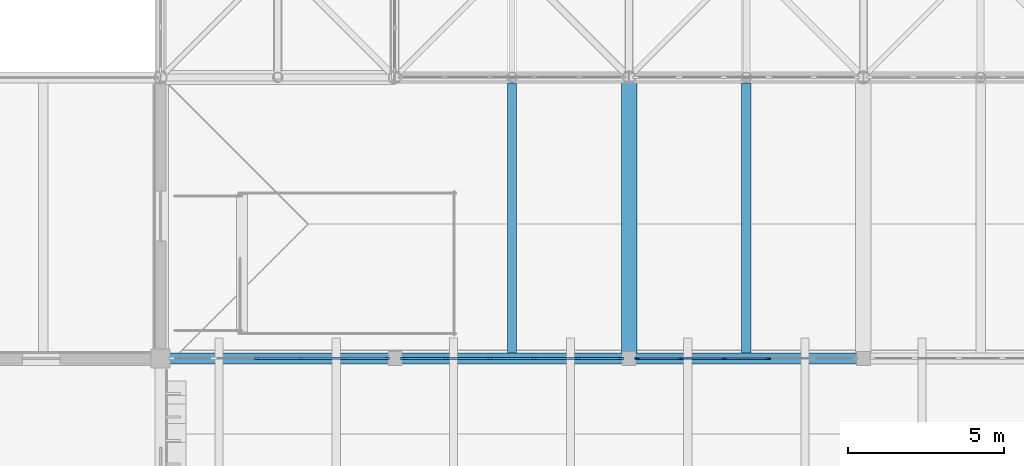
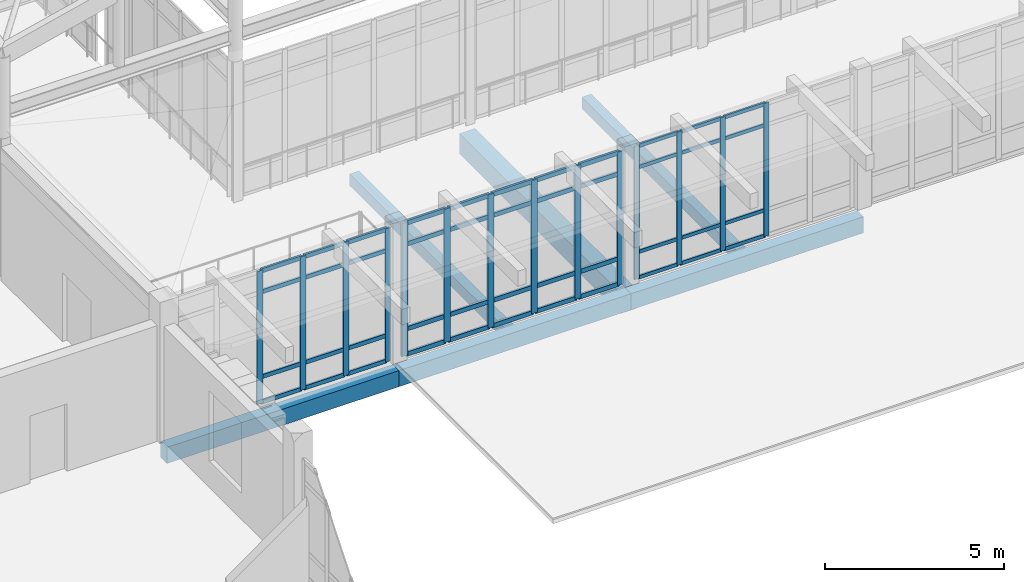
# One storey, part 26 of 131: 58 members, 6 beams, 3 elements without a shape of their own.
"""IFC4 building model written with IfcOpenShell, lengths in metres."""

from ifc_helpers import new_model, si_unit, direction, frame, origin, origin_2d, place, context, subcontext, project, spatial, rectangle, extrude, material, layer, layer_set, material_profile, profile_set, type_object, element, aggregate, save


model = new_model("IFC4")

# Units and contexts
model_context = context("Model", 3, precision=1e-05, world=origin(), true_north=direction((0.0, 1.0)))
body_context = subcontext(model_context, "Body", "Model", "MODEL_VIEW")
ifc_project = project(units=[si_unit("LENGTHUNIT", "METRE"), si_unit("AREAUNIT", "SQUARE_METRE"), si_unit("VOLUMEUNIT", "CUBIC_METRE"), si_unit("PLANEANGLEUNIT", "RADIAN"), si_unit("MASSUNIT", "GRAM", prefix="KILO")], contexts=[model_context])

# Site, building, storey
site_placement = place(None, origin())
site = spatial("IfcSite", under=ifc_project, at=site_placement, CompositionType="ELEMENT")
building_placement = place(site_placement, origin())
building = spatial("IfcBuilding", under=site, at=building_placement, Name="Dalvernix Boulevard General Hospital", CompositionType="ELEMENT")
storey_placement = place(building_placement, frame((0.0, 0.0, 9.300048828125)))
storey = spatial("IfcBuildingStorey", under=building, at=storey_placement, Name="L02", CompositionType="ELEMENT", Elevation=9.300048828125)

# Beams
ifc_material_1 = material(Name="Concrete C35/45", Category="concrete")
ifc_material_profile_1 = material_profile(ifc_material_1, rectangle(XDim=0.5, YDim=0.699951171875, at=origin_2d()), Name="RCB 500x700")
ifc_profile_set_1 = profile_set([ifc_material_profile_1], Name="Concrete C35/45")
beam_type_1 = type_object("IfcBeamType", Name="BM-B-01-I", PredefinedType="BEAM", material=ifc_profile_set_1)
beam_placement = place(storey_placement, frame((75.0, 22.5, -0.670166015625), z_axis=(0.0, 1.0, 0.0), x_axis=(-1.0, 0.0, 0.0)))
element("IfcBeam", 1, at=beam_placement, inside=storey, type_object=beam_type_1, Name="L02 N-S girder 11:D-E", PredefinedType="BEAM", context=body_context, shape_type="SweptSolid", body=[
    extrude(rectangle(XDim=0.5, YDim=0.699951171875, at=origin_2d()), origin(), (0.0, 0.0, 1.0), 9.0),
])
ifc_material_profile_2 = material_profile(ifc_material_1, rectangle(XDim=0.300048828125, YDim=0.39990234375, at=origin_2d()), Name="RCB 300x400")
ifc_profile_set_2 = profile_set([ifc_material_profile_2], Name="Concrete C35/45")
beam_type_2 = type_object("IfcBeamType", Name="BM-JB-01", PredefinedType="JOIST", material=ifc_profile_set_2)
for number, where, z_axis, x_axis, name in (
    (2, (71.25, 22.675048828125, -0.52001953125), (0.0, 1.0, 0.0), (-1.0, 0.0, 0.0), "L02 secondary floor beam 10-D"),
    (3, (78.75, 22.675048828125, -0.52001953125), (0.0, 1.0, 0.0), (-1.0, 0.0, 0.0), "L02 secondary floor beam 11-D"),
):
    element("IfcBeam", number, at=place(storey_placement, frame(where, z_axis=z_axis, x_axis=x_axis)), inside=storey, type_object=beam_type_2, Name=name, PredefinedType="JOIST", context=body_context, shape_type="SweptSolid", body=[
        extrude(rectangle(XDim=0.300048828125, YDim=0.39990234375, at=origin_2d()), origin(), (0.0, 0.0, 1.0), 8.64990234375),
    ])
ifc_material_profile_3 = material_profile(ifc_material_1, rectangle(XDim=0.35009765625, YDim=0.550048828125, at=origin_2d()), Name="RCB 350x550")
ifc_profile_set_3 = profile_set([ifc_material_profile_3], Name="Concrete C35/45")
beam_type_3 = type_object("IfcBeamType", Name="BM-SB-01-E", PredefinedType="SPANDREL", material=ifc_profile_set_3)
for number, where, z_axis, x_axis, name in (
    (4, (60.0, 22.5, -0.594970703125), (1.0, 0.0, 0.0), (0.0, 1.0, 0.0), "L02 E-W girder D:9-10"),
    (5, (67.5, 22.5, -0.594970703125), (1.0, 0.0, 0.0), (0.0, 1.0, 0.0), "L02 E-W girder D:10-11"),
    (6, (75.0, 22.5, -0.594970703125), (1.0, 0.0, 0.0), (0.0, 1.0, 0.0), "L02 E-W girder D:11-12"),
):
    element("IfcBeam", number, at=place(storey_placement, frame(where, z_axis=z_axis, x_axis=x_axis)), inside=storey, type_object=beam_type_3, Name=name, PredefinedType="SPANDREL", context=body_context, shape_type="SweptSolid", body=[
        extrude(rectangle(XDim=0.35009765625, YDim=0.550048828125, at=origin_2d()), origin(), (0.0, 0.0, 1.0), 7.5),
    ])

# Curtain wall, members
ifc_material_2 = material(Name="Thermally broken aluminium and solar-control glass curtain wall", Category="aluminium")
ifc_layer_1 = layer(ifc_material_2, 0.159912109375)
ifc_layer_set_1 = layer_set([ifc_layer_1], Name="Thermally broken aluminium and solar-control glass curtain wall (CW-CW-A-70x46)")
curtain_wall_type_1 = type_object("IfcCurtainWallType", Name="CW-CW-A-70x46", PredefinedType="USERDEFINED", material=ifc_layer_set_1)
curtain_wall_1_placement = place(storey_placement, origin())
curtain_wall_1 = element("IfcCurtainWall", 7, at=curtain_wall_1_placement, inside=storey, type_object=curtain_wall_type_1, Name="L02 curtain wall CW-A-70x46 10-3", ObjectType="GLAZED FACADE", PredefinedType="USERDEFINED")
ifc_material_3 = material(Name="Aluminium EN AW-6060", Category="aluminium")
ifc_material_profile_4 = material_profile(ifc_material_3, rectangle(XDim=0.06005859375, YDim=0.159912109375, at=origin_2d()), Name="ALU MULL 60x160")
ifc_profile_set_4 = profile_set([ifc_material_profile_4], Name="Aluminium EN AW-6060")
member_type_1 = type_object("IfcMemberType", Name="MEM-CW-M1", PredefinedType="MULLION", material=ifc_profile_set_4)
member_1_placement = place(storey_placement, frame((79.452880859375, 22.5, 0.0), z_axis=(0.0, 0.0, 1.0), x_axis=(0.0, -1.0, 0.0)))
member_1 = element("IfcMember", 8, at=member_1_placement, type_object=member_type_1, Name="CW-A-70x46 mullion 3", PredefinedType="MULLION", context=body_context, shape_type="SweptSolid", body=[
    extrude(rectangle(XDim=0.06005859375, YDim=0.159912109375, at=origin_2d()), origin(), (0.0, 0.0, 1.0), 4.550048828125),
])
member_2_placement = place(storey_placement, frame((78.047119140625, 22.5, 0.0), z_axis=(0.0, 0.0, 1.0), x_axis=(0.0, -1.0, 0.0)))
member_2 = element("IfcMember", 9, at=member_2_placement, type_object=member_type_1, Name="CW-A-70x46 mullion 4", PredefinedType="MULLION", context=body_context, shape_type="SweptSolid", body=[
    extrude(rectangle(XDim=0.06005859375, YDim=0.159912109375, at=origin_2d()), origin(), (0.0, 0.0, 1.0), 4.550048828125),
])
member_3_placement = place(storey_placement, frame((76.64111328125, 22.5, 0.0), z_axis=(0.0, 0.0, 1.0), x_axis=(0.0, -1.0, 0.0)))
member_3 = element("IfcMember", 10, at=member_3_placement, type_object=member_type_1, Name="CW-A-70x46 mullion 5", PredefinedType="MULLION", context=body_context, shape_type="SweptSolid", body=[
    extrude(rectangle(XDim=0.06005859375, YDim=0.159912109375, at=origin_2d()), origin(), (0.0, 0.0, 1.0), 4.550048828125),
])
member_4_placement = place(storey_placement, frame((75.264892578125, 22.5, 0.0), z_axis=(0.0, 0.0, 1.0), x_axis=(0.0, -1.0, 0.0)))
member_4 = element("IfcMember", 11, at=member_4_placement, type_object=member_type_1, Name="CW-A-70x46 mullion 6", PredefinedType="MULLION", context=body_context, shape_type="SweptSolid", body=[
    extrude(rectangle(XDim=0.06005859375, YDim=0.159912109375, at=origin_2d()), origin(), (0.0, 0.0, 1.0), 4.550048828125),
])

ifc_layer_2 = layer(ifc_material_2, 0.179931640625)
ifc_layer_set_2 = layer_set([ifc_layer_2], Name="Thermally broken aluminium and solar-control glass curtain wall (CW-CW-B-70x46)")
curtain_wall_type_2 = type_object("IfcCurtainWallType", Name="CW-CW-B-70x46", PredefinedType="USERDEFINED", material=ifc_layer_set_2)
curtain_wall_2_placement = place(storey_placement, origin())
curtain_wall_2 = element("IfcCurtainWall", 12, at=curtain_wall_2_placement, inside=storey, type_object=curtain_wall_type_2, Name="L02 curtain wall CW-B-70x46 8-3", ObjectType="GLAZED FACADE", PredefinedType="USERDEFINED")
ifc_material_profile_5 = material_profile(ifc_material_3, rectangle(XDim=0.06494140625, YDim=0.179931640625, at=origin_2d()), Name="ALU MULL 65x180")
ifc_profile_set_5 = profile_set([ifc_material_profile_5], Name="Aluminium EN AW-6060")
member_type_2 = type_object("IfcMemberType", Name="MEM-CW-M2", PredefinedType="MULLION", material=ifc_profile_set_5)
member_5_placement = place(storey_placement, frame((67.232421875, 22.5, 0.0), z_axis=(0.0, 0.0, 1.0), x_axis=(0.0, -1.0, 0.0)))
member_5 = element("IfcMember", 13, at=member_5_placement, type_object=member_type_2, Name="CW-B-70x46 mullion 1", PredefinedType="MULLION", context=body_context, shape_type="SweptSolid", body=[
    extrude(rectangle(XDim=0.06494140625, YDim=0.179931640625, at=origin_2d()), origin(), (0.0, 0.0, 1.0), 4.550048828125),
])
member_6_placement = place(storey_placement, frame((65.8740234375, 22.5, 0.0), z_axis=(0.0, 0.0, 1.0), x_axis=(0.0, -1.0, 0.0)))
member_6 = element("IfcMember", 14, at=member_6_placement, type_object=member_type_2, Name="CW-B-70x46 mullion 2", PredefinedType="MULLION", context=body_context, shape_type="SweptSolid", body=[
    extrude(rectangle(XDim=0.06494140625, YDim=0.179931640625, at=origin_2d()), origin(), (0.0, 0.0, 1.0), 4.550048828125),
])
member_7_placement = place(storey_placement, frame((64.48291015625, 22.5, 0.0), z_axis=(0.0, 0.0, 1.0), x_axis=(0.0, -1.0, 0.0)))
member_7 = element("IfcMember", 15, at=member_7_placement, type_object=member_type_2, Name="CW-B-70x46 mullion 3", PredefinedType="MULLION", context=body_context, shape_type="SweptSolid", body=[
    extrude(rectangle(XDim=0.06494140625, YDim=0.179931640625, at=origin_2d()), origin(), (0.0, 0.0, 1.0), 4.550048828125),
])
member_8_placement = place(storey_placement, frame((63.092041015625, 22.5, 0.0), z_axis=(0.0, 0.0, 1.0), x_axis=(0.0, -1.0, 0.0)))
member_8 = element("IfcMember", 16, at=member_8_placement, type_object=member_type_2, Name="CW-B-70x46 mullion 4", PredefinedType="MULLION", context=body_context, shape_type="SweptSolid", body=[
    extrude(rectangle(XDim=0.06494140625, YDim=0.179931640625, at=origin_2d()), origin(), (0.0, 0.0, 1.0), 4.550048828125),
])

ifc_layer_3 = layer(ifc_material_2, 0.199951171875)
ifc_layer_set_3 = layer_set([ifc_layer_3], Name="Thermally broken aluminium and solar-control glass curtain wall (CW-CW-C-70x46)")
curtain_wall_type_3 = type_object("IfcCurtainWallType", Name="CW-CW-C-70x46", PredefinedType="USERDEFINED", material=ifc_layer_set_3)
curtain_wall_3_placement = place(storey_placement, origin())
curtain_wall_3 = element("IfcCurtainWall", 17, at=curtain_wall_3_placement, inside=storey, type_object=curtain_wall_type_3, Name="L02 curtain wall CW-C-70x46 9-3", ObjectType="GLAZED FACADE", PredefinedType="USERDEFINED")
ifc_material_profile_6 = material_profile(ifc_material_3, rectangle(XDim=0.070068359375, YDim=0.199951171875, at=origin_2d()), Name="ALU MULL 70x200")
ifc_profile_set_6 = profile_set([ifc_material_profile_6], Name="Aluminium EN AW-6060")
member_type_3 = type_object("IfcMemberType", Name="MEM-CW-M3", PredefinedType="MULLION", material=ifc_profile_set_6)
member_9_placement = place(storey_placement, frame((74.72998046875, 22.5, 0.0), z_axis=(0.0, 0.0, 1.0), x_axis=(0.0, -1.0, 0.0)))
member_9 = element("IfcMember", 18, at=member_9_placement, type_object=member_type_3, Name="CW-C-70x46 mullion 1", PredefinedType="MULLION", context=body_context, shape_type="SweptSolid", body=[
    extrude(rectangle(XDim=0.070068359375, YDim=0.199951171875, at=origin_2d()), origin(), (0.0, 0.0, 1.0), 4.550048828125),
])
member_10_placement = place(storey_placement, frame((73.35888671875, 22.5, 0.0), z_axis=(0.0, 0.0, 1.0), x_axis=(0.0, -1.0, 0.0)))
member_10 = element("IfcMember", 19, at=member_10_placement, type_object=member_type_3, Name="CW-C-70x46 mullion 2", PredefinedType="MULLION", context=body_context, shape_type="SweptSolid", body=[
    extrude(rectangle(XDim=0.070068359375, YDim=0.199951171875, at=origin_2d()), origin(), (0.0, 0.0, 1.0), 4.550048828125),
])
member_11_placement = place(storey_placement, frame((71.952880859375, 22.5, 0.0), z_axis=(0.0, 0.0, 1.0), x_axis=(0.0, -1.0, 0.0)))
member_11 = element("IfcMember", 20, at=member_11_placement, type_object=member_type_3, Name="CW-C-70x46 mullion 3", PredefinedType="MULLION", context=body_context, shape_type="SweptSolid", body=[
    extrude(rectangle(XDim=0.070068359375, YDim=0.199951171875, at=origin_2d()), origin(), (0.0, 0.0, 1.0), 4.550048828125),
])
member_12_placement = place(storey_placement, frame((70.547119140625, 22.5, 0.0), z_axis=(0.0, 0.0, 1.0), x_axis=(0.0, -1.0, 0.0)))
member_12 = element("IfcMember", 21, at=member_12_placement, type_object=member_type_3, Name="CW-C-70x46 mullion 4", PredefinedType="MULLION", context=body_context, shape_type="SweptSolid", body=[
    extrude(rectangle(XDim=0.070068359375, YDim=0.199951171875, at=origin_2d()), origin(), (0.0, 0.0, 1.0), 4.550048828125),
])
member_13_placement = place(storey_placement, frame((69.14111328125, 22.5, 0.0), z_axis=(0.0, 0.0, 1.0), x_axis=(0.0, -1.0, 0.0)))
member_13 = element("IfcMember", 22, at=member_13_placement, type_object=member_type_3, Name="CW-C-70x46 mullion 5", PredefinedType="MULLION", context=body_context, shape_type="SweptSolid", body=[
    extrude(rectangle(XDim=0.070068359375, YDim=0.199951171875, at=origin_2d()), origin(), (0.0, 0.0, 1.0), 4.550048828125),
])
member_14_placement = place(storey_placement, frame((67.77001953125, 22.5, 0.0), z_axis=(0.0, 0.0, 1.0), x_axis=(0.0, -1.0, 0.0)))
member_14 = element("IfcMember", 23, at=member_14_placement, type_object=member_type_3, Name="CW-C-70x46 mullion 6", PredefinedType="MULLION", context=body_context, shape_type="SweptSolid", body=[
    extrude(rectangle(XDim=0.070068359375, YDim=0.199951171875, at=origin_2d()), origin(), (0.0, 0.0, 1.0), 4.550048828125),
])

# Member
ifc_material_profile_7 = material_profile(ifc_material_3, rectangle(XDim=0.06005859375, YDim=0.1201171875, at=origin_2d()), Name="ALU TRAN 60x120")
ifc_profile_set_7 = profile_set([ifc_material_profile_7], Name="Aluminium EN AW-6060")
member_type_4 = type_object("IfcMemberType", Name="MEM-CW-T1", PredefinedType="USERDEFINED", material=ifc_profile_set_7)
member_15_placement = place(storey_placement, frame((79.423095703125, 22.5, 0.030029296875), z_axis=(-1.0, 0.0, 0.0), x_axis=(0.0, -1.0, 0.0)))
member_15 = element("IfcMember", 24, at=member_15_placement, type_object=member_type_4, Name="CW-A-70x46 transom 3.1", ObjectType="TRANSOM", PredefinedType="USERDEFINED", context=body_context, shape_type="SweptSolid", body=[
    extrude(rectangle(XDim=0.06005859375, YDim=0.1201171875, at=origin_2d()), origin(), (0.0, 0.0, 1.0), 1.34619140625),
])

member_16_placement = place(storey_placement, frame((79.423095703125, 22.5, 0.89990234375), z_axis=(-1.0, 0.0, 0.0), x_axis=(0.0, -1.0, 0.0)))
member_16 = element("IfcMember", 25, at=member_16_placement, type_object=member_type_4, Name="CW-A-70x46 transom 3.2", ObjectType="TRANSOM", PredefinedType="USERDEFINED", context=body_context, shape_type="SweptSolid", body=[
    extrude(rectangle(XDim=0.06005859375, YDim=0.1201171875, at=origin_2d()), origin(), (0.0, 0.0, 1.0), 1.34619140625),
])

member_17_placement = place(storey_placement, frame((79.423095703125, 22.5, 3.800048828125), z_axis=(-1.0, 0.0, 0.0), x_axis=(0.0, -1.0, 0.0)))
member_17 = element("IfcMember", 26, at=member_17_placement, type_object=member_type_4, Name="CW-A-70x46 transom 3.3", ObjectType="TRANSOM", PredefinedType="USERDEFINED", context=body_context, shape_type="SweptSolid", body=[
    extrude(rectangle(XDim=0.06005859375, YDim=0.1201171875, at=origin_2d()), origin(), (0.0, 0.0, 1.0), 1.34619140625),
])

member_18_placement = place(storey_placement, frame((79.423095703125, 22.5, 4.52001953125), z_axis=(-1.0, 0.0, 0.0), x_axis=(0.0, -1.0, 0.0)))
member_18 = element("IfcMember", 27, at=member_18_placement, type_object=member_type_4, Name="CW-A-70x46 transom 3.4", ObjectType="TRANSOM", PredefinedType="USERDEFINED", context=body_context, shape_type="SweptSolid", body=[
    extrude(rectangle(XDim=0.06005859375, YDim=0.1201171875, at=origin_2d()), origin(), (0.0, 0.0, 1.0), 1.34619140625),
])

member_19_placement = place(storey_placement, frame((78.01708984375, 22.5, 0.030029296875), z_axis=(-1.0, 0.0, 0.0), x_axis=(0.0, -1.0, 0.0)))
member_19 = element("IfcMember", 28, at=member_19_placement, type_object=member_type_4, Name="CW-A-70x46 transom 4.1", ObjectType="TRANSOM", PredefinedType="USERDEFINED", context=body_context, shape_type="SweptSolid", body=[
    extrude(rectangle(XDim=0.06005859375, YDim=0.1201171875, at=origin_2d()), origin(), (0.0, 0.0, 1.0), 1.34619140625),
])

member_20_placement = place(storey_placement, frame((78.01708984375, 22.5, 0.89990234375), z_axis=(-1.0, 0.0, 0.0), x_axis=(0.0, -1.0, 0.0)))
member_20 = element("IfcMember", 29, at=member_20_placement, type_object=member_type_4, Name="CW-A-70x46 transom 4.2", ObjectType="TRANSOM", PredefinedType="USERDEFINED", context=body_context, shape_type="SweptSolid", body=[
    extrude(rectangle(XDim=0.06005859375, YDim=0.1201171875, at=origin_2d()), origin(), (0.0, 0.0, 1.0), 1.34619140625),
])

member_21_placement = place(storey_placement, frame((78.01708984375, 22.5, 3.800048828125), z_axis=(-1.0, 0.0, 0.0), x_axis=(0.0, -1.0, 0.0)))
member_21 = element("IfcMember", 30, at=member_21_placement, type_object=member_type_4, Name="CW-A-70x46 transom 4.3", ObjectType="TRANSOM", PredefinedType="USERDEFINED", context=body_context, shape_type="SweptSolid", body=[
    extrude(rectangle(XDim=0.06005859375, YDim=0.1201171875, at=origin_2d()), origin(), (0.0, 0.0, 1.0), 1.34619140625),
])

member_22_placement = place(storey_placement, frame((78.01708984375, 22.5, 4.52001953125), z_axis=(-1.0, 0.0, 0.0), x_axis=(0.0, -1.0, 0.0)))
member_22 = element("IfcMember", 31, at=member_22_placement, type_object=member_type_4, Name="CW-A-70x46 transom 4.4", ObjectType="TRANSOM", PredefinedType="USERDEFINED", context=body_context, shape_type="SweptSolid", body=[
    extrude(rectangle(XDim=0.06005859375, YDim=0.1201171875, at=origin_2d()), origin(), (0.0, 0.0, 1.0), 1.34619140625),
])

member_23_placement = place(storey_placement, frame((76.611083984375, 22.5, 0.030029296875), z_axis=(-1.0, 0.0, 0.0), x_axis=(0.0, -1.0, 0.0)))
member_23 = element("IfcMember", 32, at=member_23_placement, type_object=member_type_4, Name="CW-A-70x46 transom 5.1", ObjectType="TRANSOM", PredefinedType="USERDEFINED", context=body_context, shape_type="SweptSolid", body=[
    extrude(rectangle(XDim=0.06005859375, YDim=0.1201171875, at=origin_2d()), origin(), (0.0, 0.0, 1.0), 1.316162109375),
])

member_24_placement = place(storey_placement, frame((76.611083984375, 22.5, 0.89990234375), z_axis=(-1.0, 0.0, 0.0), x_axis=(0.0, -1.0, 0.0)))
member_24 = element("IfcMember", 33, at=member_24_placement, type_object=member_type_4, Name="CW-A-70x46 transom 5.2", ObjectType="TRANSOM", PredefinedType="USERDEFINED", context=body_context, shape_type="SweptSolid", body=[
    extrude(rectangle(XDim=0.06005859375, YDim=0.1201171875, at=origin_2d()), origin(), (0.0, 0.0, 1.0), 1.316162109375),
])

member_25_placement = place(storey_placement, frame((76.611083984375, 22.5, 3.800048828125), z_axis=(-1.0, 0.0, 0.0), x_axis=(0.0, -1.0, 0.0)))
member_25 = element("IfcMember", 34, at=member_25_placement, type_object=member_type_4, Name="CW-A-70x46 transom 5.3", ObjectType="TRANSOM", PredefinedType="USERDEFINED", context=body_context, shape_type="SweptSolid", body=[
    extrude(rectangle(XDim=0.06005859375, YDim=0.1201171875, at=origin_2d()), origin(), (0.0, 0.0, 1.0), 1.316162109375),
])

member_26_placement = place(storey_placement, frame((76.611083984375, 22.5, 4.52001953125), z_axis=(-1.0, 0.0, 0.0), x_axis=(0.0, -1.0, 0.0)))
member_26 = element("IfcMember", 35, at=member_26_placement, type_object=member_type_4, Name="CW-A-70x46 transom 5.4", ObjectType="TRANSOM", PredefinedType="USERDEFINED", context=body_context, shape_type="SweptSolid", body=[
    extrude(rectangle(XDim=0.06005859375, YDim=0.1201171875, at=origin_2d()), origin(), (0.0, 0.0, 1.0), 1.316162109375),
])

aggregate(curtain_wall_1, [member_1, member_2, member_3, member_4, member_15, member_16, member_17, member_18, member_19, member_20, member_21, member_22, member_23, member_24, member_25, member_26])

ifc_material_profile_8 = material_profile(ifc_material_3, rectangle(XDim=0.06494140625, YDim=0.139892578125, at=origin_2d()), Name="ALU TRAN 65x140")
ifc_profile_set_8 = profile_set([ifc_material_profile_8], Name="Aluminium EN AW-6060")
member_type_5 = type_object("IfcMemberType", Name="MEM-CW-T2", PredefinedType="USERDEFINED", material=ifc_profile_set_8)
member_27_placement = place(storey_placement, frame((67.199951171875, 22.5, 0.032470703125), z_axis=(-1.0, 0.0, 0.0), x_axis=(0.0, -1.0, 0.0)))
member_27 = element("IfcMember", 36, at=member_27_placement, type_object=member_type_5, Name="CW-B-70x46 transom 1.1", ObjectType="TRANSOM", PredefinedType="USERDEFINED", context=body_context, shape_type="SweptSolid", body=[
    extrude(rectangle(XDim=0.06494140625, YDim=0.139892578125, at=origin_2d()), origin(), (0.0, 0.0, 1.0), 1.29345703125),
])

member_28_placement = place(storey_placement, frame((67.199951171875, 22.5, 0.89990234375), z_axis=(-1.0, 0.0, 0.0), x_axis=(0.0, -1.0, 0.0)))
member_28 = element("IfcMember", 37, at=member_28_placement, type_object=member_type_5, Name="CW-B-70x46 transom 1.2", ObjectType="TRANSOM", PredefinedType="USERDEFINED", context=body_context, shape_type="SweptSolid", body=[
    extrude(rectangle(XDim=0.06494140625, YDim=0.139892578125, at=origin_2d()), origin(), (0.0, 0.0, 1.0), 1.29345703125),
])

member_29_placement = place(storey_placement, frame((67.199951171875, 22.5, 3.800048828125), z_axis=(-1.0, 0.0, 0.0), x_axis=(0.0, -1.0, 0.0)))
member_29 = element("IfcMember", 38, at=member_29_placement, type_object=member_type_5, Name="CW-B-70x46 transom 1.3", ObjectType="TRANSOM", PredefinedType="USERDEFINED", context=body_context, shape_type="SweptSolid", body=[
    extrude(rectangle(XDim=0.06494140625, YDim=0.139892578125, at=origin_2d()), origin(), (0.0, 0.0, 1.0), 1.29345703125),
])

member_30_placement = place(storey_placement, frame((67.199951171875, 22.5, 4.517333984375), z_axis=(-1.0, 0.0, 0.0), x_axis=(0.0, -1.0, 0.0)))
member_30 = element("IfcMember", 39, at=member_30_placement, type_object=member_type_5, Name="CW-B-70x46 transom 1.4", ObjectType="TRANSOM", PredefinedType="USERDEFINED", context=body_context, shape_type="SweptSolid", body=[
    extrude(rectangle(XDim=0.06494140625, YDim=0.139892578125, at=origin_2d()), origin(), (0.0, 0.0, 1.0), 1.29345703125),
])

member_31_placement = place(storey_placement, frame((65.841552734375, 22.5, 0.032470703125), z_axis=(-1.0, 0.0, 0.0), x_axis=(0.0, -1.0, 0.0)))
member_31 = element("IfcMember", 40, at=member_31_placement, type_object=member_type_5, Name="CW-B-70x46 transom 2.1", ObjectType="TRANSOM", PredefinedType="USERDEFINED", context=body_context, shape_type="SweptSolid", body=[
    extrude(rectangle(XDim=0.06494140625, YDim=0.139892578125, at=origin_2d()), origin(), (0.0, 0.0, 1.0), 1.326171875),
])

member_32_placement = place(storey_placement, frame((65.841552734375, 22.5, 0.89990234375), z_axis=(-1.0, 0.0, 0.0), x_axis=(0.0, -1.0, 0.0)))
member_32 = element("IfcMember", 41, at=member_32_placement, type_object=member_type_5, Name="CW-B-70x46 transom 2.2", ObjectType="TRANSOM", PredefinedType="USERDEFINED", context=body_context, shape_type="SweptSolid", body=[
    extrude(rectangle(XDim=0.06494140625, YDim=0.139892578125, at=origin_2d()), origin(), (0.0, 0.0, 1.0), 1.326171875),
])

member_33_placement = place(storey_placement, frame((65.841552734375, 22.5, 3.800048828125), z_axis=(-1.0, 0.0, 0.0), x_axis=(0.0, -1.0, 0.0)))
member_33 = element("IfcMember", 42, at=member_33_placement, type_object=member_type_5, Name="CW-B-70x46 transom 2.3", ObjectType="TRANSOM", PredefinedType="USERDEFINED", context=body_context, shape_type="SweptSolid", body=[
    extrude(rectangle(XDim=0.06494140625, YDim=0.139892578125, at=origin_2d()), origin(), (0.0, 0.0, 1.0), 1.326171875),
])

member_34_placement = place(storey_placement, frame((65.841552734375, 22.5, 4.517333984375), z_axis=(-1.0, 0.0, 0.0), x_axis=(0.0, -1.0, 0.0)))
member_34 = element("IfcMember", 43, at=member_34_placement, type_object=member_type_5, Name="CW-B-70x46 transom 2.4", ObjectType="TRANSOM", PredefinedType="USERDEFINED", context=body_context, shape_type="SweptSolid", body=[
    extrude(rectangle(XDim=0.06494140625, YDim=0.139892578125, at=origin_2d()), origin(), (0.0, 0.0, 1.0), 1.326171875),
])

member_35_placement = place(storey_placement, frame((64.450439453125, 22.5, 0.032470703125), z_axis=(-1.0, 0.0, 0.0), x_axis=(0.0, -1.0, 0.0)))
member_35 = element("IfcMember", 44, at=member_35_placement, type_object=member_type_5, Name="CW-B-70x46 transom 3.1", ObjectType="TRANSOM", PredefinedType="USERDEFINED", context=body_context, shape_type="SweptSolid", body=[
    extrude(rectangle(XDim=0.06494140625, YDim=0.139892578125, at=origin_2d()), origin(), (0.0, 0.0, 1.0), 1.325927734375),
])

member_36_placement = place(storey_placement, frame((64.450439453125, 22.5, 0.89990234375), z_axis=(-1.0, 0.0, 0.0), x_axis=(0.0, -1.0, 0.0)))
member_36 = element("IfcMember", 45, at=member_36_placement, type_object=member_type_5, Name="CW-B-70x46 transom 3.2", ObjectType="TRANSOM", PredefinedType="USERDEFINED", context=body_context, shape_type="SweptSolid", body=[
    extrude(rectangle(XDim=0.06494140625, YDim=0.139892578125, at=origin_2d()), origin(), (0.0, 0.0, 1.0), 1.325927734375),
])

member_37_placement = place(storey_placement, frame((64.450439453125, 22.5, 3.800048828125), z_axis=(-1.0, 0.0, 0.0), x_axis=(0.0, -1.0, 0.0)))
member_37 = element("IfcMember", 46, at=member_37_placement, type_object=member_type_5, Name="CW-B-70x46 transom 3.3", ObjectType="TRANSOM", PredefinedType="USERDEFINED", context=body_context, shape_type="SweptSolid", body=[
    extrude(rectangle(XDim=0.06494140625, YDim=0.139892578125, at=origin_2d()), origin(), (0.0, 0.0, 1.0), 1.325927734375),
])

member_38_placement = place(storey_placement, frame((64.450439453125, 22.5, 4.517333984375), z_axis=(-1.0, 0.0, 0.0), x_axis=(0.0, -1.0, 0.0)))
member_38 = element("IfcMember", 47, at=member_38_placement, type_object=member_type_5, Name="CW-B-70x46 transom 3.4", ObjectType="TRANSOM", PredefinedType="USERDEFINED", context=body_context, shape_type="SweptSolid", body=[
    extrude(rectangle(XDim=0.06494140625, YDim=0.139892578125, at=origin_2d()), origin(), (0.0, 0.0, 1.0), 1.325927734375),
])

aggregate(curtain_wall_2, [member_5, member_6, member_7, member_8, member_27, member_28, member_29, member_30, member_31, member_32, member_33, member_34, member_35, member_36, member_37, member_38])

ifc_material_profile_9 = material_profile(ifc_material_3, rectangle(XDim=0.070068359375, YDim=0.14990234375, at=origin_2d()), Name="ALU TRAN 70x150")
ifc_profile_set_9 = profile_set([ifc_material_profile_9], Name="Aluminium EN AW-6060")
member_type_6 = type_object("IfcMemberType", Name="MEM-CW-T3", PredefinedType="USERDEFINED", material=ifc_profile_set_9)
member_39_placement = place(storey_placement, frame((74.695068359375, 22.5, 0.034912109375), z_axis=(-1.0, 0.0, 0.0), x_axis=(0.0, -1.0, 0.0)))
member_39 = element("IfcMember", 48, at=member_39_placement, type_object=member_type_6, Name="CW-C-70x46 transom 1.1", ObjectType="TRANSOM", PredefinedType="USERDEFINED", context=body_context, shape_type="SweptSolid", body=[
    extrude(rectangle(XDim=0.070068359375, YDim=0.14990234375, at=origin_2d()), origin(), (0.0, 0.0, 1.0), 1.301025390625),
])

member_40_placement = place(storey_placement, frame((74.695068359375, 22.5, 0.89990234375), z_axis=(-1.0, 0.0, 0.0), x_axis=(0.0, -1.0, 0.0)))
member_40 = element("IfcMember", 49, at=member_40_placement, type_object=member_type_6, Name="CW-C-70x46 transom 1.2", ObjectType="TRANSOM", PredefinedType="USERDEFINED", context=body_context, shape_type="SweptSolid", body=[
    extrude(rectangle(XDim=0.070068359375, YDim=0.14990234375, at=origin_2d()), origin(), (0.0, 0.0, 1.0), 1.301025390625),
])

member_41_placement = place(storey_placement, frame((74.695068359375, 22.5, 3.800048828125), z_axis=(-1.0, 0.0, 0.0), x_axis=(0.0, -1.0, 0.0)))
member_41 = element("IfcMember", 50, at=member_41_placement, type_object=member_type_6, Name="CW-C-70x46 transom 1.3", ObjectType="TRANSOM", PredefinedType="USERDEFINED", context=body_context, shape_type="SweptSolid", body=[
    extrude(rectangle(XDim=0.070068359375, YDim=0.14990234375, at=origin_2d()), origin(), (0.0, 0.0, 1.0), 1.301025390625),
])

member_42_placement = place(storey_placement, frame((74.695068359375, 22.5, 4.514892578125), z_axis=(-1.0, 0.0, 0.0), x_axis=(0.0, -1.0, 0.0)))
member_42 = element("IfcMember", 51, at=member_42_placement, type_object=member_type_6, Name="CW-C-70x46 transom 1.4", ObjectType="TRANSOM", PredefinedType="USERDEFINED", context=body_context, shape_type="SweptSolid", body=[
    extrude(rectangle(XDim=0.070068359375, YDim=0.14990234375, at=origin_2d()), origin(), (0.0, 0.0, 1.0), 1.301025390625),
])

member_43_placement = place(storey_placement, frame((73.323974609375, 22.5, 0.034912109375), z_axis=(-1.0, 0.0, 0.0), x_axis=(0.0, -1.0, 0.0)))
member_43 = element("IfcMember", 52, at=member_43_placement, type_object=member_type_6, Name="CW-C-70x46 transom 2.1", ObjectType="TRANSOM", PredefinedType="USERDEFINED", context=body_context, shape_type="SweptSolid", body=[
    extrude(rectangle(XDim=0.070068359375, YDim=0.14990234375, at=origin_2d()), origin(), (0.0, 0.0, 1.0), 1.3359375),
])

member_44_placement = place(storey_placement, frame((73.323974609375, 22.5, 0.89990234375), z_axis=(-1.0, 0.0, 0.0), x_axis=(0.0, -1.0, 0.0)))
member_44 = element("IfcMember", 53, at=member_44_placement, type_object=member_type_6, Name="CW-C-70x46 transom 2.2", ObjectType="TRANSOM", PredefinedType="USERDEFINED", context=body_context, shape_type="SweptSolid", body=[
    extrude(rectangle(XDim=0.070068359375, YDim=0.14990234375, at=origin_2d()), origin(), (0.0, 0.0, 1.0), 1.3359375),
])

member_45_placement = place(storey_placement, frame((73.323974609375, 22.5, 3.800048828125), z_axis=(-1.0, 0.0, 0.0), x_axis=(0.0, -1.0, 0.0)))
member_45 = element("IfcMember", 54, at=member_45_placement, type_object=member_type_6, Name="CW-C-70x46 transom 2.3", ObjectType="TRANSOM", PredefinedType="USERDEFINED", context=body_context, shape_type="SweptSolid", body=[
    extrude(rectangle(XDim=0.070068359375, YDim=0.14990234375, at=origin_2d()), origin(), (0.0, 0.0, 1.0), 1.3359375),
])

member_46_placement = place(storey_placement, frame((73.323974609375, 22.5, 4.514892578125), z_axis=(-1.0, 0.0, 0.0), x_axis=(0.0, -1.0, 0.0)))
member_46 = element("IfcMember", 55, at=member_46_placement, type_object=member_type_6, Name="CW-C-70x46 transom 2.4", ObjectType="TRANSOM", PredefinedType="USERDEFINED", context=body_context, shape_type="SweptSolid", body=[
    extrude(rectangle(XDim=0.070068359375, YDim=0.14990234375, at=origin_2d()), origin(), (0.0, 0.0, 1.0), 1.3359375),
])

member_47_placement = place(storey_placement, frame((71.91796875, 22.5, 0.034912109375), z_axis=(-1.0, 0.0, 0.0), x_axis=(0.0, -1.0, 0.0)))
member_47 = element("IfcMember", 56, at=member_47_placement, type_object=member_type_6, Name="CW-C-70x46 transom 3.1", ObjectType="TRANSOM", PredefinedType="USERDEFINED", context=body_context, shape_type="SweptSolid", body=[
    extrude(rectangle(XDim=0.070068359375, YDim=0.14990234375, at=origin_2d()), origin(), (0.0, 0.0, 1.0), 1.3359375),
])

member_48_placement = place(storey_placement, frame((71.91796875, 22.5, 0.89990234375), z_axis=(-1.0, 0.0, 0.0), x_axis=(0.0, -1.0, 0.0)))
member_48 = element("IfcMember", 57, at=member_48_placement, type_object=member_type_6, Name="CW-C-70x46 transom 3.2", ObjectType="TRANSOM", PredefinedType="USERDEFINED", context=body_context, shape_type="SweptSolid", body=[
    extrude(rectangle(XDim=0.070068359375, YDim=0.14990234375, at=origin_2d()), origin(), (0.0, 0.0, 1.0), 1.3359375),
])

member_49_placement = place(storey_placement, frame((71.91796875, 22.5, 3.800048828125), z_axis=(-1.0, 0.0, 0.0), x_axis=(0.0, -1.0, 0.0)))
member_49 = element("IfcMember", 58, at=member_49_placement, type_object=member_type_6, Name="CW-C-70x46 transom 3.3", ObjectType="TRANSOM", PredefinedType="USERDEFINED", context=body_context, shape_type="SweptSolid", body=[
    extrude(rectangle(XDim=0.070068359375, YDim=0.14990234375, at=origin_2d()), origin(), (0.0, 0.0, 1.0), 1.3359375),
])

member_50_placement = place(storey_placement, frame((71.91796875, 22.5, 4.514892578125), z_axis=(-1.0, 0.0, 0.0), x_axis=(0.0, -1.0, 0.0)))
member_50 = element("IfcMember", 59, at=member_50_placement, type_object=member_type_6, Name="CW-C-70x46 transom 3.4", ObjectType="TRANSOM", PredefinedType="USERDEFINED", context=body_context, shape_type="SweptSolid", body=[
    extrude(rectangle(XDim=0.070068359375, YDim=0.14990234375, at=origin_2d()), origin(), (0.0, 0.0, 1.0), 1.3359375),
])

member_51_placement = place(storey_placement, frame((70.511962890625, 22.5, 0.034912109375), z_axis=(-1.0, 0.0, 0.0), x_axis=(0.0, -1.0, 0.0)))
member_51 = element("IfcMember", 60, at=member_51_placement, type_object=member_type_6, Name="CW-C-70x46 transom 4.1", ObjectType="TRANSOM", PredefinedType="USERDEFINED", context=body_context, shape_type="SweptSolid", body=[
    extrude(rectangle(XDim=0.070068359375, YDim=0.14990234375, at=origin_2d()), origin(), (0.0, 0.0, 1.0), 1.3359375),
])

member_52_placement = place(storey_placement, frame((70.511962890625, 22.5, 0.89990234375), z_axis=(-1.0, 0.0, 0.0), x_axis=(0.0, -1.0, 0.0)))
member_52 = element("IfcMember", 61, at=member_52_placement, type_object=member_type_6, Name="CW-C-70x46 transom 4.2", ObjectType="TRANSOM", PredefinedType="USERDEFINED", context=body_context, shape_type="SweptSolid", body=[
    extrude(rectangle(XDim=0.070068359375, YDim=0.14990234375, at=origin_2d()), origin(), (0.0, 0.0, 1.0), 1.3359375),
])

member_53_placement = place(storey_placement, frame((70.511962890625, 22.5, 3.800048828125), z_axis=(-1.0, 0.0, 0.0), x_axis=(0.0, -1.0, 0.0)))
member_53 = element("IfcMember", 62, at=member_53_placement, type_object=member_type_6, Name="CW-C-70x46 transom 4.3", ObjectType="TRANSOM", PredefinedType="USERDEFINED", context=body_context, shape_type="SweptSolid", body=[
    extrude(rectangle(XDim=0.070068359375, YDim=0.14990234375, at=origin_2d()), origin(), (0.0, 0.0, 1.0), 1.3359375),
])

member_54_placement = place(storey_placement, frame((70.511962890625, 22.5, 4.514892578125), z_axis=(-1.0, 0.0, 0.0), x_axis=(0.0, -1.0, 0.0)))
member_54 = element("IfcMember", 63, at=member_54_placement, type_object=member_type_6, Name="CW-C-70x46 transom 4.4", ObjectType="TRANSOM", PredefinedType="USERDEFINED", context=body_context, shape_type="SweptSolid", body=[
    extrude(rectangle(XDim=0.070068359375, YDim=0.14990234375, at=origin_2d()), origin(), (0.0, 0.0, 1.0), 1.3359375),
])

member_55_placement = place(storey_placement, frame((69.10595703125, 22.5, 0.034912109375), z_axis=(-1.0, 0.0, 0.0), x_axis=(0.0, -1.0, 0.0)))
member_55 = element("IfcMember", 64, at=member_55_placement, type_object=member_type_6, Name="CW-C-70x46 transom 5.1", ObjectType="TRANSOM", PredefinedType="USERDEFINED", context=body_context, shape_type="SweptSolid", body=[
    extrude(rectangle(XDim=0.070068359375, YDim=0.14990234375, at=origin_2d()), origin(), (0.0, 0.0, 1.0), 1.301025390625),
])

member_56_placement = place(storey_placement, frame((69.10595703125, 22.5, 0.89990234375), z_axis=(-1.0, 0.0, 0.0), x_axis=(0.0, -1.0, 0.0)))
member_56 = element("IfcMember", 65, at=member_56_placement, type_object=member_type_6, Name="CW-C-70x46 transom 5.2", ObjectType="TRANSOM", PredefinedType="USERDEFINED", context=body_context, shape_type="SweptSolid", body=[
    extrude(rectangle(XDim=0.070068359375, YDim=0.14990234375, at=origin_2d()), origin(), (0.0, 0.0, 1.0), 1.301025390625),
])

member_57_placement = place(storey_placement, frame((69.10595703125, 22.5, 3.800048828125), z_axis=(-1.0, 0.0, 0.0), x_axis=(0.0, -1.0, 0.0)))
member_57 = element("IfcMember", 66, at=member_57_placement, type_object=member_type_6, Name="CW-C-70x46 transom 5.3", ObjectType="TRANSOM", PredefinedType="USERDEFINED", context=body_context, shape_type="SweptSolid", body=[
    extrude(rectangle(XDim=0.070068359375, YDim=0.14990234375, at=origin_2d()), origin(), (0.0, 0.0, 1.0), 1.301025390625),
])

member_58_placement = place(storey_placement, frame((69.10595703125, 22.5, 4.514892578125), z_axis=(-1.0, 0.0, 0.0), x_axis=(0.0, -1.0, 0.0)))
member_58 = element("IfcMember", 67, at=member_58_placement, type_object=member_type_6, Name="CW-C-70x46 transom 5.4", ObjectType="TRANSOM", PredefinedType="USERDEFINED", context=body_context, shape_type="SweptSolid", body=[
    extrude(rectangle(XDim=0.070068359375, YDim=0.14990234375, at=origin_2d()), origin(), (0.0, 0.0, 1.0), 1.301025390625),
])

aggregate(curtain_wall_3, [member_9, member_10, member_11, member_12, member_13, member_14, member_39, member_40, member_41, member_42, member_43, member_44, member_45, member_46, member_47, member_48, member_49, member_50, member_51, member_52, member_53, member_54, member_55, member_56, member_57, member_58])

save(model, "model.ifc")
